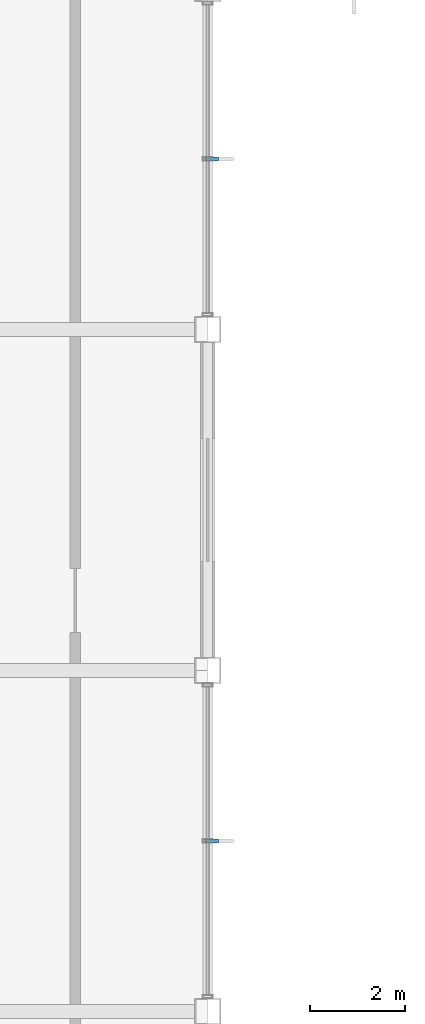
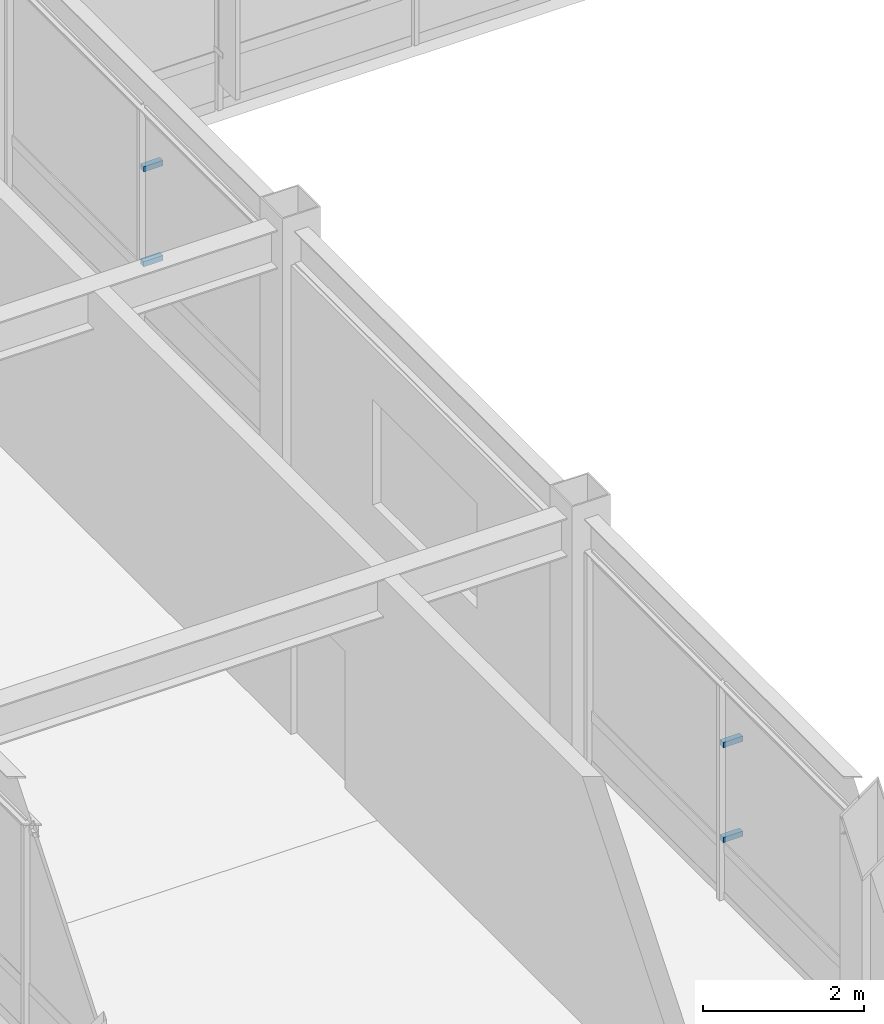
# One storey, part 110 of 122: 4 discrete accessories.
"""IFC4 building model written with IfcOpenShell, lengths in metres."""

from ifc_helpers import new_model, si_unit, direction, frame, origin, origin_2d, place, context, subcontext, project, spatial, rectangle, extrude, material, type_object, element, save


model = new_model("IFC4")

# Units and contexts
model_context = context("Model", 3, precision=1e-05, world=origin(), true_north=direction((0.0, 1.0)))
body_context = subcontext(model_context, "Body", "Model", "MODEL_VIEW")
ifc_project = project(units=[si_unit("LENGTHUNIT", "METRE"), si_unit("AREAUNIT", "SQUARE_METRE"), si_unit("VOLUMEUNIT", "CUBIC_METRE"), si_unit("PLANEANGLEUNIT", "RADIAN"), si_unit("MASSUNIT", "GRAM", prefix="KILO")], contexts=[model_context])

# Site, building, storey
site_placement = place(None, origin())
site = spatial("IfcSite", under=ifc_project, at=site_placement, CompositionType="ELEMENT")
building_placement = place(site_placement, origin())
building = spatial("IfcBuilding", under=site, at=building_placement, Name="Kazanami Central Library", CompositionType="ELEMENT")
storey_placement = place(building_placement, frame((0.0, 0.0, 4.800048828125)))
storey = spatial("IfcBuildingStorey", under=building, at=storey_placement, Name="L02", CompositionType="ELEMENT", Elevation=4.800048828125)

# Discrete accessories
ifc_material = material(Name="Stainless Steel SUS304", Category="steel")
discrete_accessory_type = type_object("IfcDiscreteAccessoryType", Name="ACC-BRK-1", PredefinedType="BRACKET", material=ifc_material)
for number, where, z_axis, x_axis, name in (
    (1, (54.090087890625, 46.800048828125, 0.867431640625), (0.0, 0.0, 1.0), (0.0, -1.0, 0.0), "Solar Fin Outrigger Bracket L02 E-7-06.1.1"),
    (2, (54.090087890625, 46.800048828125, 2.307373046875), (0.0, 0.0, 1.0), (0.0, -1.0, 0.0), "Solar Fin Outrigger Bracket L02 E-7-06.1.2"),
    (3, (54.090087890625, 61.199951171875, 0.867431640625), (0.0, 0.0, 1.0), (0.0, -1.0, 0.0), "Solar Fin Outrigger Bracket L02 E-7-08.1.1"),
    (4, (54.090087890625, 61.199951171875, 2.307373046875), (0.0, 0.0, 1.0), (0.0, -1.0, 0.0), "Solar Fin Outrigger Bracket L02 E-7-08.1.2"),
):
    element("IfcDiscreteAccessory", number, at=place(storey_placement, frame(where, z_axis=z_axis, x_axis=x_axis)), inside=storey, type_object=discrete_accessory_type, Name=name, PredefinedType="BRACKET", context=body_context, shape_type="SweptSolid", body=[
        extrude(rectangle(XDim=0.080078125, YDim=0.280029296875, at=origin_2d()), origin(), (0.0, 0.0, 1.0), 0.080078125),
    ])

save(model, "model.ifc")
